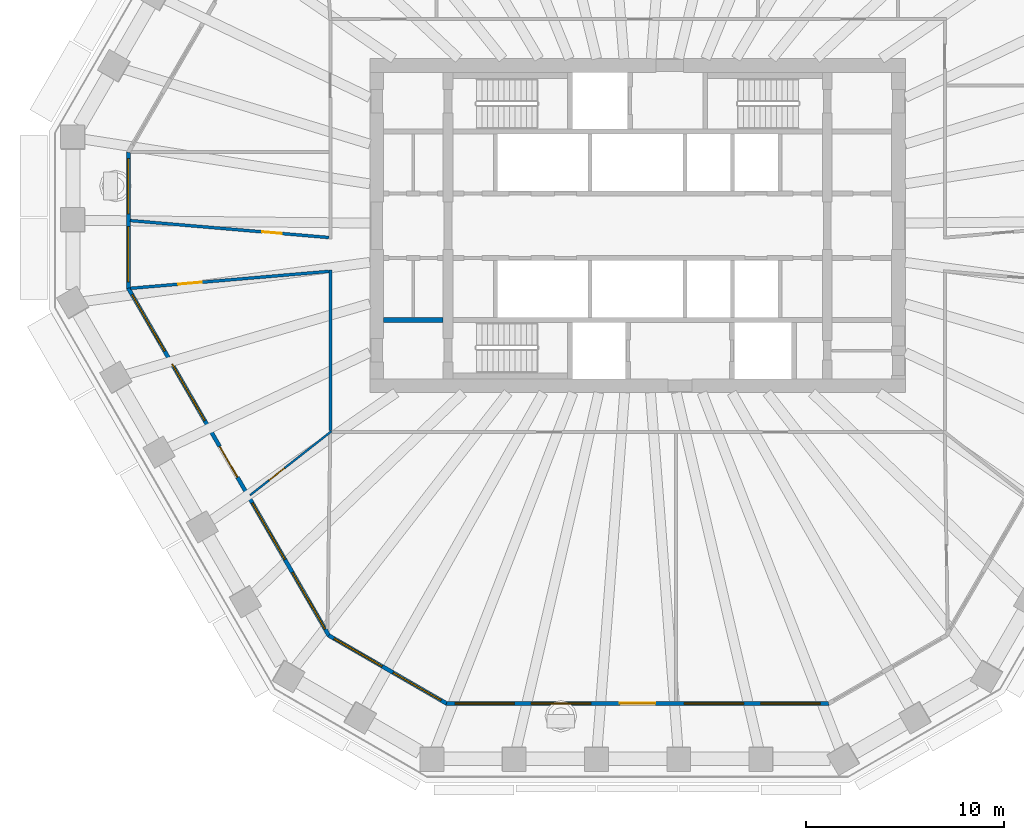
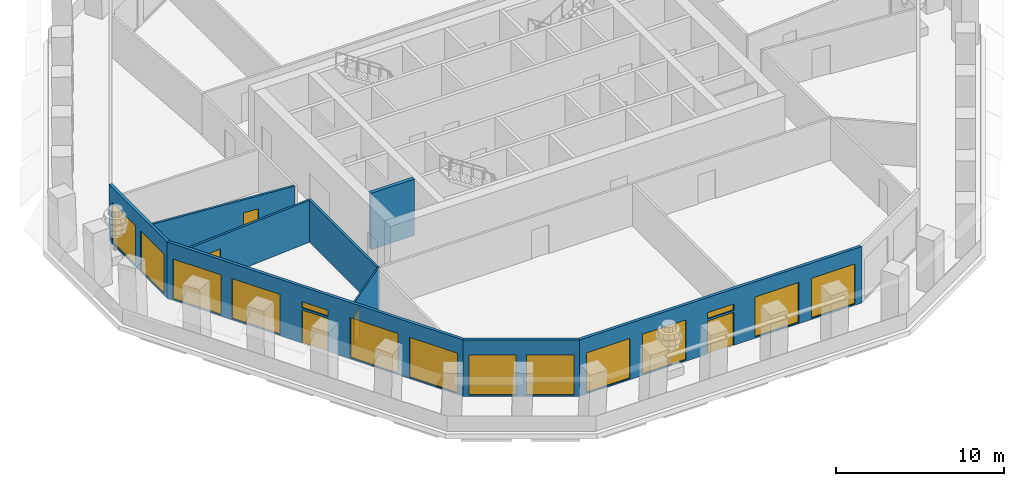
# One storey, part 3 of 12: 14 windows, 9 walls, 5 doors, 19 openings.
"""IFC4 building model written with IfcOpenShell, lengths in metres."""

import ifcopenshell
import ifcopenshell.guid

model = None  # the IFC model being written
_history = None  # IfcOwnerHistory: only IFC2X3 demands one
_inside = {}  # id of a spatial element -> (the spatial element, [elements in it])
_under = {}  # id of a project, library or spatial element -> (it, [spatial elements below it])
_declared = {}  # id of a project -> (the project, [libraries it declares])
_typed = {}  # id of a type object -> (the type object, [elements of that type])
_made_of = {}  # id of a material, layer set ... -> (it, [elements and type objects made of it])


def new_model(schema):
    """Start an empty IFC model of exactly this schema.

    Asked for "IFC4X3", IfcOpenShell would pick the latest addendum, in which some entities
    have other attributes; the version numbers below select the first issue.
    IFC2X3 requires an IfcOwnerHistory on every rooted entity: one is made here for all.
    """
    global model, _history
    if schema == "IFC4X3":
        model = ifcopenshell.file(schema_version=(4, 3, 0, 0))
    else:
        model = ifcopenshell.file(schema=schema)
    _inside.clear()
    _under.clear()
    _declared.clear()
    _typed.clear()
    _made_of.clear()
    _history = None
    if model.schema == "IFC2X3":
        org = make("IfcOrganization", Name="unknown")
        user = make(
            "IfcPersonAndOrganization",
            ThePerson=make("IfcPerson", FamilyName="unknown"),
            TheOrganization=org,
        )
        app = make(
            "IfcApplication",
            ApplicationDeveloper=org,
            Version="unknown",
            ApplicationFullName="unknown",
            ApplicationIdentifier="unknown",
        )
        _history = make(
            "IfcOwnerHistory",
            OwningUser=user,
            OwningApplication=app,
            ChangeAction="ADDED",
            CreationDate=0,
        )
    return model


def make(cls, **values):
    """One entity of the class cls with the attributes given. An attribute that is None is left unset."""
    return model.create_entity(
        cls, **{name: value for name, value in values.items() if value is not None}
    )


def rooted(cls, **values):
    """An entity with a GlobalId (a new one), such as an element, a storey or a relation."""
    return make(cls, GlobalId=ifcopenshell.guid.new(), OwnerHistory=_history, **values)


def si_unit(unit_type, name, prefix=None):
    """IfcSIUnit, for example si_unit("LENGTHUNIT", "METRE", prefix="MILLI")."""
    return make("IfcSIUnit", UnitType=unit_type, Prefix=prefix, Name=name)


def assignment(units):
    """IfcUnitAssignment: the units of a project."""
    return None if units is None else make("IfcUnitAssignment", Units=units)


def point(xyz):
    """IfcCartesianPoint."""
    return None if xyz is None else make("IfcCartesianPoint", Coordinates=xyz)


def direction(xyz):
    """IfcDirection."""
    return None if xyz is None else make("IfcDirection", DirectionRatios=xyz)


def frame(location, z_axis=None, x_axis=None):
    """IfcAxis2Placement3D, a coordinate frame: its origin and axes. An axis left out is left unset."""
    return make(
        "IfcAxis2Placement3D",
        Location=point(location),
        Axis=direction(z_axis),
        RefDirection=direction(x_axis),
    )


def frame_2d(location, x_axis=None):
    """IfcAxis2Placement2D, a coordinate frame in the plane: its origin and x axis."""
    return make(
        "IfcAxis2Placement2D", Location=point(location), RefDirection=direction(x_axis)
    )


def origin():
    """The frame at (0, 0, 0) with its axes left unset."""
    return frame((0.0, 0.0, 0.0))


def place(relative_to, where):
    """IfcLocalPlacement: puts the frame where relative to a parent placement (None: the world)."""
    return make(
        "IfcLocalPlacement", PlacementRelTo=relative_to, RelativePlacement=where
    )


def context(
    kind, dimensions, precision=None, world=None, true_north=None, identifier=None
):
    """IfcGeometricRepresentationContext, for example the 3D "Model" context."""
    return make(
        "IfcGeometricRepresentationContext",
        ContextIdentifier=identifier,
        ContextType=kind,
        CoordinateSpaceDimension=dimensions,
        Precision=precision,
        WorldCoordinateSystem=world,
        TrueNorth=true_north,
    )


def subcontext(parent, identifier, kind, view, scale=None):
    """IfcGeometricRepresentationSubContext, for example "Body" below "Model"."""
    return make(
        "IfcGeometricRepresentationSubContext",
        ContextIdentifier=identifier,
        ContextType=kind,
        ParentContext=parent,
        TargetScale=scale,
        TargetView=view,
    )


def project(units=None, contexts=None):
    """IfcProject with its units and contexts."""
    return rooted(
        "IfcProject",
        Name="project",
        RepresentationContexts=contexts,
        UnitsInContext=assignment(units),
    )


def spatial(cls, under=None, at=None, **own):
    """A site, building, storey or space (cls), placed at a placement, below another one or the project."""
    s = rooted(cls, ObjectPlacement=at, **own)
    if under is not None:
        _under.setdefault(under.id(), (under, []))[1].append(s)
    return s


def polyline(points):
    """IfcPolyline through the points."""
    return make("IfcPolyline", Points=[point(p) for p in points])


def profile(cls, at=None, kind="AREA", **sizes):
    """A parametric profile (cls). Its sizes go by their IFC names, for example OverallWidth=200.0."""
    return make(cls, ProfileType=kind, Position=at, **sizes)


def rectangle(**sizes):
    """IfcRectangleProfileDef."""
    return profile("IfcRectangleProfileDef", **sizes)


def outline(outer, holes=None, kind="AREA"):
    """IfcArbitraryClosedProfileDef: a profile drawn as a closed curve; with holes, ...WithVoids."""
    if holes is None:
        return make("IfcArbitraryClosedProfileDef", ProfileType=kind, OuterCurve=outer)
    return make(
        "IfcArbitraryProfileDefWithVoids",
        ProfileType=kind,
        OuterCurve=outer,
        InnerCurves=holes,
    )


def extrude(swept, where, along, depth):
    """IfcExtrudedAreaSolid: the profile swept, set in the frame where, extruded along a direction by depth."""
    return make(
        "IfcExtrudedAreaSolid",
        SweptArea=swept,
        Position=where,
        ExtrudedDirection=direction(along),
        Depth=depth,
    )


def shape(context_of_items, identifier, shape_type, items):
    """IfcShapeRepresentation: the items that make up one representation, for example the "Body"."""
    return make(
        "IfcShapeRepresentation",
        ContextOfItems=context_of_items,
        RepresentationIdentifier=identifier,
        RepresentationType=shape_type,
        Items=items,
    )


def material(Name=None, Category=None):
    """IfcMaterial."""
    return make("IfcMaterial", Name=Name, Category=Category)


def layer(
    of_material, thickness, ventilated=None, Name=None, Category=None, Priority=None
):
    """IfcMaterialLayer: one layer of a wall or slab, of a material (None: an air gap)."""
    return make(
        "IfcMaterialLayer",
        Material=of_material,
        LayerThickness=thickness,
        IsVentilated=ventilated,
        Name=Name,
        Category=Category,
        Priority=Priority,
    )


def layer_set(layers, Name=None):
    """IfcMaterialLayerSet."""
    return make("IfcMaterialLayerSet", MaterialLayers=layers, LayerSetName=Name)


def made_of(thing, what):
    """Note that an element or type object is made of a material, layer set ...; save() writes the relation."""
    if what is not None:
        _made_of.setdefault(what.id(), (what, []))[1].append(thing)
    return thing


def type_object(cls, material=None, **own):
    """A type object (cls), such as IfcWallType, which elements share."""
    return made_of(rooted(cls, **own), material)


def element(
    cls,
    number,
    at=None,
    inside=None,
    cuts=None,
    type_object=None,
    material=None,
    context=None,
    identifier="Body",
    shape_type=None,
    held_by="IfcProductDefinitionShape",
    body=None,
    shapes=None,
    **own,
):
    """One element of the class cls, such as IfcWall. Its Tag is "e" and its number.

    at: its placement. inside: the storey or other place that contains it. cuts: it is an
    opening in that element (IfcRelVoidsElement). A single representation is given by context,
    identifier, shape_type and body (its items); several are given by shapes. held_by: the class
    of the entity that holds the representations. save() writes the other relations.
    """
    e = rooted(cls, Tag="e%d" % number, ObjectPlacement=at, **own)
    if body is not None:
        shapes = [shape(context, identifier, shape_type, body)]
    if shapes is not None:
        e.Representation = make(held_by, Representations=shapes)
    if inside is not None:
        _inside.setdefault(inside.id(), (inside, []))[1].append(e)
    if cuts is not None:
        rooted(
            "IfcRelVoidsElement", RelatingBuildingElement=cuts, RelatedOpeningElement=e
        )
    if type_object is not None:
        _typed.setdefault(type_object.id(), (type_object, []))[1].append(e)
    return made_of(e, material)


def fill(opening, filler):
    """IfcRelFillsElement: the door or window that sits in an opening."""
    return rooted(
        "IfcRelFillsElement",
        RelatingOpeningElement=opening,
        RelatedBuildingElement=filler,
    )


def aggregate(whole, parts):
    """IfcRelAggregates: a whole, such as a stair, and the parts it consists of."""
    return rooted("IfcRelAggregates", RelatingObject=whole, RelatedObjects=parts)


def save(model, path):
    """Write the relations noted so far, then the file.

    IfcRelAggregates (storeys below a building ...), IfcRelContainedInSpatialStructure (elements
    in a storey), IfcRelDefinesByType, IfcRelAssociatesMaterial and IfcRelDeclares: one each for
    every whole, place, type object, material and project.
    """
    for whole, parts in _under.values():
        aggregate(whole, parts)
    for where, things in _inside.values():
        rooted(
            "IfcRelContainedInSpatialStructure",
            RelatedElements=things,
            RelatingStructure=where,
        )
    for kind, things in _typed.values():
        rooted("IfcRelDefinesByType", RelatedObjects=things, RelatingType=kind)
    for what, things in _made_of.values():
        rooted("IfcRelAssociatesMaterial", RelatedObjects=things, RelatingMaterial=what)
    for by, libraries in _declared.values():
        rooted("IfcRelDeclares", RelatingContext=by, RelatedDefinitions=libraries)
    model.write(path)


model = new_model("IFC4")

# Units and contexts
model_context = context("Model", 3, precision=1e-05, world=origin(), true_north=direction((0.0, 1.0)))
body_context = subcontext(model_context, "Body", "Model", "MODEL_VIEW")
ifc_project = project(units=[si_unit("LENGTHUNIT", "METRE"), si_unit("AREAUNIT", "SQUARE_METRE"), si_unit("VOLUMEUNIT", "CUBIC_METRE"), si_unit("PLANEANGLEUNIT", "RADIAN"), si_unit("MASSUNIT", "GRAM", prefix="KILO")], contexts=[model_context])

# Site, building, storey
site_placement = place(None, origin())
site = spatial("IfcSite", under=ifc_project, at=site_placement, CompositionType="ELEMENT")
building_placement = place(site_placement, origin())
building = spatial("IfcBuilding", under=site, at=building_placement, Name="Frailejon Research Tower", CompositionType="ELEMENT")
storey_placement = place(building_placement, frame((0.0, 0.0, 154.0)))
storey = spatial("IfcBuildingStorey", under=building, at=storey_placement, Name="L33", CompositionType="ELEMENT", Elevation=154.0)

# Wall, opening, door
ifc_material_1 = material(Name="Gypsum board and masonry partition", Category="masonry")
ifc_layer_1 = layer(ifc_material_1, 0.14990234375)
ifc_layer_set_1 = layer_set([ifc_layer_1], Name="Corridor wall EI 60, gypsum on steel studs 150")
wall_type_1 = type_object("IfcWallType", Name="Corridor wall EI 60, gypsum on steel studs 150", PredefinedType="PARTITIONING", material=ifc_layer_set_1)
wall_1_placement = place(storey_placement, frame((-25.672607421875, 0.259521484375, 0.0), z_axis=(0.0, 0.0, 1.0), x_axis=(0.996368569522, -0.085145015526, 0.0)))
wall_1 = element("IfcWall", 1, at=wall_1_placement, inside=storey, type_object=wall_type_1, Name="T:IW:L33:001", PredefinedType="PARTITIONING", context=body_context, shape_type="SweptSolid", body=[
    extrude(rectangle(XDim=10.08447265625, YDim=0.14990234375, at=frame_2d((5.042236328125, 0.0))), origin(), (0.0, 0.0, 1.0), 3.050048828125),
])
opening_1_placement = place(wall_1_placement, frame((6.694580078125, 0.0, 0.0)))
opening_1 = element("IfcOpeningElement", 2, at=opening_1_placement, cuts=wall_1, Name="Opening D1727", PredefinedType="OPENING", context=body_context, shape_type="SweptSolid", body=[
    extrude(rectangle(XDim=1.0, YDim=2.10009765625, at=frame_2d((0.5, 1.050048828125))), frame((0.0, 0.0849609375, 0.0), z_axis=(0.0, -1.0, 0.0), x_axis=(1.0, 0.0, 0.0)), (0.0, 0.0, 1.0), 0.169921875),
])
ifc_material_2 = material(Name="Timber door leaf", Category="wood")
door_type_1 = type_object("IfcDoorType", Name="Door single leaf, timber, steel frame 1000", OperationType="NOTDEFINED", PredefinedType="DOOR", material=ifc_material_2)
door_1_placement = place(opening_1_placement, origin())
door_1 = element("IfcDoor", 3, at=door_1_placement, inside=storey, type_object=door_type_1, Name="D1727", OperationType="SINGLE_SWING_RIGHT", OverallHeight=2.10009765625, OverallWidth=1.0, PredefinedType="DOOR", context=body_context, shape_type="SweptSolid", body=[
    extrude(rectangle(XDim=1.0, YDim=2.10009765625, at=frame_2d((0.5, 1.050048828125))), frame((0.0, 0.02490234375, 0.0), z_axis=(0.0, -1.0, 0.0), x_axis=(1.0, 0.0, 0.0)), (0.0, 0.0, 1.0), 0.050048828125),
])
fill(opening_1, door_1)

wall_2_placement = place(storey_placement, frame((-25.65234375, -3.168701171875, 0.0), z_axis=(0.0, 0.0, 1.0), x_axis=(0.996370436306, 0.085123167555, 0.0)))
wall_2 = element("IfcWall", 4, at=wall_2_placement, inside=storey, type_object=wall_type_1, Name="T:IW:L33:002", PredefinedType="PARTITIONING", context=body_context, shape_type="SweptSolid", body=[
    extrude(rectangle(XDim=10.064208984375, YDim=0.14990234375, at=frame_2d((5.0322265625, 0.0))), origin(), (0.0, 0.0, 1.0), 3.050048828125),
])
opening_2_placement = place(wall_2_placement, frame((2.409912109375, 0.0, 0.0)))
opening_2 = element("IfcOpeningElement", 5, at=opening_2_placement, cuts=wall_2, Name="Opening D1728", PredefinedType="OPENING", context=body_context, shape_type="SweptSolid", body=[
    extrude(rectangle(XDim=1.199951171875, YDim=2.10009765625, at=frame_2d((0.60009765625, 1.050048828125))), frame((0.0, 0.0849609375, 0.0), z_axis=(0.0, -1.0, 0.0), x_axis=(1.0, 0.0, 0.0)), (0.0, 0.0, 1.0), 0.169921875),
])
ifc_material_3 = material(Name="Timber door leaf", Category="wood")
door_type_2 = type_object("IfcDoorType", Name="Door single leaf, timber, steel frame 1200", OperationType="NOTDEFINED", PredefinedType="DOOR", material=ifc_material_3)
door_2_placement = place(opening_2_placement, origin())
door_2 = element("IfcDoor", 6, at=door_2_placement, inside=storey, type_object=door_type_2, Name="D1728", OperationType="DOUBLE_DOOR_SINGLE_SWING", OverallHeight=2.10009765625, OverallWidth=1.199951171875, PredefinedType="DOOR", context=body_context, shape_type="SweptSolid", body=[
    extrude(rectangle(XDim=1.199951171875, YDim=2.10009765625, at=frame_2d((0.60009765625, 1.050048828125))), frame((0.0, 0.02490234375, 0.0), z_axis=(0.0, -1.0, 0.0), x_axis=(1.0, 0.0, 0.0)), (0.0, 0.0, 1.0), 0.050048828125),
])
fill(opening_2, door_2)

# Wall
wall_3_placement = place(storey_placement, frame((-15.550048828125, -10.375, 0.0), z_axis=(0.0, 0.0, 1.0), x_axis=(0.0, 1.0, 0.0)))
element("IfcWall", 7, at=wall_3_placement, inside=storey, type_object=wall_type_1, Name="T:IW:L33:006", PredefinedType="PARTITIONING", context=body_context, shape_type="SweptSolid", body=[
    extrude(rectangle(XDim=8.14453125, YDim=0.14990234375, at=frame_2d((4.072265625, 0.0))), origin(), (0.0, 0.0, 1.0), 3.050048828125),
])

# Wall, opening, door
ifc_material_4 = material(Name="Gypsum board and masonry partition", Category="masonry")
ifc_layer_2 = layer(ifc_material_4, 0.10009765625)
ifc_layer_set_2 = layer_set([ifc_layer_2], Name="Partition, gypsum on steel studs 100")
wall_type_2 = type_object("IfcWallType", Name="Partition, gypsum on steel studs 100", PredefinedType="PARTITIONING", material=ifc_layer_set_2)
wall_4_placement = place(storey_placement, frame((-19.608154296875, -13.6376953125, 0.0), z_axis=(0.0, 0.0, 1.0), x_axis=(0.78641541947, 0.617697974757, 0.0)))
wall_4 = element("IfcWall", 8, at=wall_4_placement, inside=storey, type_object=wall_type_2, Name="T:IW:L33:021", PredefinedType="PARTITIONING", context=body_context, shape_type="SweptSolid", body=[
    extrude(rectangle(XDim=5.2353515625, YDim=0.10009765625, at=frame_2d((2.61767578125, 0.0))), origin(), (0.0, 0.0, 1.0), 3.050048828125),
])
opening_3_placement = place(wall_4_placement, frame((1.215087890625, 0.0, 0.0)))
opening_3 = element("IfcOpeningElement", 9, at=opening_3_placement, cuts=wall_4, Name="Opening D1729", PredefinedType="OPENING", context=body_context, shape_type="SweptSolid", body=[
    extrude(rectangle(XDim=1.0, YDim=2.10009765625, at=frame_2d((0.5, 1.050048828125))), frame((0.0, 0.06005859375, 0.0), z_axis=(0.0, -1.0, 0.0), x_axis=(1.0, 0.0, 0.0)), (0.0, 0.0, 1.0), 0.1201171875),
])
door_3_placement = place(opening_3_placement, origin())
door_3 = element("IfcDoor", 10, at=door_3_placement, inside=storey, type_object=door_type_1, Name="D1729", OperationType="SINGLE_SWING_RIGHT", OverallHeight=2.10009765625, OverallWidth=1.0, PredefinedType="DOOR", context=body_context, shape_type="SweptSolid", body=[
    extrude(rectangle(XDim=1.0, YDim=2.10009765625, at=frame_2d((0.5, 1.050048828125))), frame((0.0, 0.02490234375, 0.0), z_axis=(0.0, -1.0, 0.0), x_axis=(1.0, 0.0, 0.0)), (0.0, 0.0, 1.0), 0.050048828125),
])
fill(opening_3, door_3)

# Wall
ifc_material_5 = material(Name="Concrete C60/75", Category="concrete")
ifc_layer_3 = layer(ifc_material_5, 0.25)
ifc_layer_set_3 = layer_set([ifc_layer_3], Name="Shaft wall 250 C60/75")
wall_type_3 = type_object("IfcWallType", Name="Shaft wall 250 C60/75", PredefinedType="SOLIDWALL", material=ifc_layer_set_3)
wall_5_placement = place(storey_placement, frame((-12.85009765625, -4.77490234375, 0.0), z_axis=(0.0, 0.0, 1.0), x_axis=(1.0, 0.0, 0.0)))
element("IfcWall", 11, at=wall_5_placement, inside=storey, type_object=wall_type_3, Name="Shaft wall", PredefinedType="SOLIDWALL", context=body_context, shape_type="SweptSolid", body=[
    extrude(rectangle(XDim=3.0, YDim=0.25, at=frame_2d((1.5, 0.0))), origin(), (0.0, 0.0, 1.0), 4.10009765625),
])

# Wall, openings, windows
ifc_material_6 = material(Name="Concrete C40/50 precast window wall panel", Category="concrete")
ifc_layer_4 = layer(ifc_material_6, 0.199951171875)
ifc_layer_set_4 = layer_set([ifc_layer_4], Name="Window wall 200")
wall_type_4 = type_object("IfcWallType", Name="Window wall 200", PredefinedType="SOLIDWALL", material=ifc_layer_set_4)
wall_6_placement = place(storey_placement, frame((-25.7724609375, 3.7138671875, 0.0), z_axis=(0.0, 0.0, 1.0), x_axis=(0.0, -1.0, 0.0)))
wall_6 = element("IfcWall", 12, at=wall_6_placement, inside=storey, type_object=wall_type_4, Name="Exterior wall L33", PredefinedType="SOLIDWALL", context=body_context, shape_type="SweptSolid", body=[
    extrude(outline(polyline([(-0.02685546875, -0.10009765625), (1.1279296875, -0.10009765625), (2.28271484375, -0.10009765625), (3.4375, -0.10009765625), (4.592041015625, -0.10009765625), (5.746826171875, -0.10009765625), (6.901611328125, -0.10009765625), (6.847900390625, 0.10009765625), (5.7109375, 0.10009765625), (4.57421875, 0.10009765625), (3.4375, 0.10009765625), (2.300537109375, 0.10009765625), (1.16357421875, 0.10009765625), (0.02685546875, 0.10009765625), (-0.02685546875, -0.10009765625)])), origin(), (0.0, 0.0, 1.0), 4.10009765625),
])
opening_4_placement = place(wall_6_placement, frame((0.318603515625, 0.0, 0.10009765625)))
opening_4 = element("IfcOpeningElement", 13, at=opening_4_placement, cuts=wall_6, Name="Opening W3", PredefinedType="OPENING", context=body_context, shape_type="SweptSolid", body=[
    extrude(rectangle(XDim=2.800048828125, YDim=2.89990234375, at=frame_2d((1.39990234375, 1.449951171875))), frame((0.0, 0.10986328125, 0.0), z_axis=(0.0, -1.0, 0.0), x_axis=(1.0, 0.0, 0.0)), (0.0, 0.0, 1.0), 0.219970703125),
])
opening_5_placement = place(wall_6_placement, frame((3.756103515625, 0.0, 0.10009765625)))
opening_5 = element("IfcOpeningElement", 14, at=opening_5_placement, cuts=wall_6, Name="Opening W3", PredefinedType="OPENING", context=body_context, shape_type="SweptSolid", body=[
    extrude(rectangle(XDim=2.800048828125, YDim=2.89990234375, at=frame_2d((1.39990234375, 1.449951171875))), frame((0.0, 0.10986328125, 0.0), z_axis=(0.0, -1.0, 0.0), x_axis=(1.0, 0.0, 0.0)), (0.0, 0.0, 1.0), 0.219970703125),
])
ifc_material_7 = material(Name="Aluminium framed double glazing", Category="aluminium")
window_type_1 = type_object("IfcWindowType", Name="Window 2800x2900", PartitioningType="SINGLE_PANEL", PredefinedType="WINDOW", material=ifc_material_7)
window_1_placement = place(opening_4_placement, origin())
window_1 = element("IfcWindow", 15, at=window_1_placement, inside=storey, type_object=window_type_1, Name="Window L33", OverallHeight=2.89990234375, OverallWidth=2.800048828125, PartitioningType="SINGLE_PANEL", PredefinedType="WINDOW", context=body_context, shape_type="SweptSolid", body=[
    extrude(rectangle(XDim=2.800048828125, YDim=2.89990234375, at=frame_2d((1.39990234375, 1.449951171875))), frame((0.0, 0.030029296875, 0.0), z_axis=(0.0, -1.0, 0.0), x_axis=(1.0, 0.0, 0.0)), (0.0, 0.0, 1.0), 0.06005859375),
])
fill(opening_4, window_1)
window_2_placement = place(opening_5_placement, origin())
window_2 = element("IfcWindow", 16, at=window_2_placement, inside=storey, type_object=window_type_1, Name="Window L33", OverallHeight=2.89990234375, OverallWidth=2.800048828125, PartitioningType="SINGLE_PANEL", PredefinedType="WINDOW", context=body_context, shape_type="SweptSolid", body=[
    extrude(rectangle(XDim=2.800048828125, YDim=2.89990234375, at=frame_2d((1.39990234375, 1.449951171875))), frame((0.0, 0.030029296875, 0.0), z_axis=(0.0, -1.0, 0.0), x_axis=(1.0, 0.0, 0.0)), (0.0, 0.0, 1.0), 0.06005859375),
])
fill(opening_5, window_2)

# Wall, openings, door, windows
wall_7_placement = place(storey_placement, frame((-25.7724609375, -3.160888671875, 0.0), z_axis=(0.0, 0.0, 1.0), x_axis=(0.500001833672, -0.866024345111, 0.0)))
wall_7 = element("IfcWall", 17, at=wall_7_placement, inside=storey, type_object=wall_type_4, Name="Exterior wall L33", PredefinedType="SOLIDWALL", context=body_context, shape_type="SweptSolid", body=[
    extrude(outline(polyline([(-0.02685546875, -0.10009765625), (0.99072265625, -0.10009765625), (2.00830078125, -0.10009765625), (3.02587890625, -0.10009765625), (4.04345703125, -0.10009765625), (5.06103515625, -0.10009765625), (6.07861328125, -0.10009765625), (7.09619140625, -0.10009765625), (8.11376953125, -0.10009765625), (9.13134765625, -0.10009765625), (10.14892578125, -0.10009765625), (11.16650390625, -0.10009765625), (12.18408203125, -0.10009765625), (13.20166015625, -0.10009765625), (14.21923828125, -0.10009765625), (15.23681640625, -0.10009765625), (16.25439453125, -0.10009765625), (17.27197265625, -0.10009765625), (18.28955078125, -0.10009765625), (19.30712890625, -0.10009765625), (20.32470703125, -0.10009765625), (20.27099609375, 0.10009765625), (19.2587890625, 0.10009765625), (18.24658203125, 0.10009765625), (17.234375, 0.10009765625), (16.22216796875, 0.10009765625), (15.2099609375, 0.10009765625), (14.19775390625, 0.10009765625), (13.185546875, 0.10009765625), (12.17333984375, 0.10009765625), (11.1611328125, 0.10009765625), (10.14892578125, 0.10009765625), (9.13671875, 0.10009765625), (8.12451171875, 0.10009765625), (7.1123046875, 0.10009765625), (6.10009765625, 0.10009765625), (5.087890625, 0.10009765625), (4.07568359375, 0.10009765625), (3.0634765625, 0.10009765625), (2.05126953125, 0.10009765625), (1.0390625, 0.10009765625), (0.02685546875, 0.10009765625), (-0.02685546875, -0.10009765625)])), origin(), (0.0, 0.0, 1.0), 4.10009765625),
])
opening_6_placement = place(wall_7_placement, frame((0.3798828125, 0.0, 0.10009765625)))
opening_6 = element("IfcOpeningElement", 18, at=opening_6_placement, cuts=wall_7, Name="Opening W5", PredefinedType="OPENING", context=body_context, shape_type="SweptSolid", body=[
    extrude(rectangle(XDim=3.300048828125, YDim=2.89990234375, at=frame_2d((1.64990234375, 1.449951171875))), frame((0.0, 0.10986328125, 0.0), z_axis=(0.0, -1.0, 0.0), x_axis=(1.0, 0.0, 0.0)), (0.0, 0.0, 1.0), 0.219970703125),
])
opening_7_placement = place(wall_7_placement, frame((4.439453125, 0.0, 0.10009765625)))
opening_7 = element("IfcOpeningElement", 19, at=opening_7_placement, cuts=wall_7, Name="Opening W5", PredefinedType="OPENING", context=body_context, shape_type="SweptSolid", body=[
    extrude(rectangle(XDim=3.300048828125, YDim=2.89990234375, at=frame_2d((1.64990234375, 1.449951171875))), frame((0.0, 0.10986328125, 0.0), z_axis=(0.0, -1.0, 0.0), x_axis=(1.0, 0.0, 0.0)), (0.0, 0.0, 1.0), 0.219970703125),
])
opening_8_placement = place(wall_7_placement, frame((9.248779296875, 0.0, 0.0)))
opening_8 = element("IfcOpeningElement", 20, at=opening_8_placement, cuts=wall_7, Name="Opening LG33-4", PredefinedType="OPENING", context=body_context, shape_type="SweptSolid", body=[
    extrude(rectangle(XDim=1.800048828125, YDim=2.39990234375, at=frame_2d((0.89990234375, 1.199951171875))), frame((0.0, 0.10986328125, 0.0), z_axis=(0.0, -1.0, 0.0), x_axis=(1.0, 0.0, 0.0)), (0.0, 0.0, 1.0), 0.219970703125),
])
opening_9_placement = place(wall_7_placement, frame((9.248779296875, 0.0, 2.550048828125)))
opening_9 = element("IfcOpeningElement", 21, at=opening_9_placement, cuts=wall_7, Name="Opening W1", PredefinedType="OPENING", context=body_context, shape_type="SweptSolid", body=[
    extrude(rectangle(XDim=1.800048828125, YDim=0.449951171875, at=frame_2d((0.89990234375, 0.22509765625))), frame((0.0, 0.10986328125, 0.0), z_axis=(0.0, -1.0, 0.0), x_axis=(1.0, 0.0, 0.0)), (0.0, 0.0, 1.0), 0.219970703125),
])
opening_10_placement = place(wall_7_placement, frame((12.55859375, 0.0, 0.10009765625)))
opening_10 = element("IfcOpeningElement", 22, at=opening_10_placement, cuts=wall_7, Name="Opening W5", PredefinedType="OPENING", context=body_context, shape_type="SweptSolid", body=[
    extrude(rectangle(XDim=3.300048828125, YDim=2.89990234375, at=frame_2d((1.64990234375, 1.449951171875))), frame((0.0, 0.10986328125, 0.0), z_axis=(0.0, -1.0, 0.0), x_axis=(1.0, 0.0, 0.0)), (0.0, 0.0, 1.0), 0.219970703125),
])
opening_11_placement = place(wall_7_placement, frame((16.6181640625, 0.0, 0.10009765625)))
opening_11 = element("IfcOpeningElement", 23, at=opening_11_placement, cuts=wall_7, Name="Opening W5", PredefinedType="OPENING", context=body_context, shape_type="SweptSolid", body=[
    extrude(rectangle(XDim=3.300048828125, YDim=2.89990234375, at=frame_2d((1.64990234375, 1.449951171875))), frame((0.0, 0.10986328125, 0.0), z_axis=(0.0, -1.0, 0.0), x_axis=(1.0, 0.0, 0.0)), (0.0, 0.0, 1.0), 0.219970703125),
])
ifc_material_8 = material(Name="Aluminium framed glazed door leaf", Category="aluminium")
door_type_3 = type_object("IfcDoorType", Name="Loggia door 1800x2400", OperationType="DOUBLE_DOOR_SINGLE_SWING", PredefinedType="DOOR", material=ifc_material_8)
door_4_placement = place(opening_8_placement, origin())
door_4 = element("IfcDoor", 24, at=door_4_placement, inside=storey, type_object=door_type_3, Name="Door LG33-4", OperationType="DOUBLE_DOOR_SINGLE_SWING", OverallHeight=2.39990234375, OverallWidth=1.800048828125, PredefinedType="DOOR", context=body_context, shape_type="SweptSolid", body=[
    extrude(rectangle(XDim=1.800048828125, YDim=2.39990234375, at=frame_2d((0.89990234375, 1.199951171875))), frame((0.0, 0.02490234375, 0.0), z_axis=(0.0, -1.0, 0.0), x_axis=(1.0, 0.0, 0.0)), (0.0, 0.0, 1.0), 0.050048828125),
])
fill(opening_8, door_4)
ifc_material_9 = material(Name="Aluminium framed double glazing", Category="aluminium")
window_type_2 = type_object("IfcWindowType", Name="Window 1800x450", PartitioningType="SINGLE_PANEL", PredefinedType="WINDOW", material=ifc_material_9)
window_3_placement = place(opening_9_placement, origin())
window_3 = element("IfcWindow", 25, at=window_3_placement, inside=storey, type_object=window_type_2, Name="Window L33", OverallHeight=0.449951171875, OverallWidth=1.800048828125, PartitioningType="SINGLE_PANEL", PredefinedType="WINDOW", context=body_context, shape_type="SweptSolid", body=[
    extrude(rectangle(XDim=1.800048828125, YDim=0.449951171875, at=frame_2d((0.89990234375, 0.22509765625))), frame((0.0, 0.030029296875, 0.0), z_axis=(0.0, -1.0, 0.0), x_axis=(1.0, 0.0, 0.0)), (0.0, 0.0, 1.0), 0.06005859375),
])
fill(opening_9, window_3)
ifc_material_10 = material(Name="Aluminium framed double glazing", Category="aluminium")
window_type_3 = type_object("IfcWindowType", Name="Window 3300x2900", PartitioningType="SINGLE_PANEL", PredefinedType="WINDOW", material=ifc_material_10)
window_4_placement = place(opening_6_placement, origin())
window_4 = element("IfcWindow", 26, at=window_4_placement, inside=storey, type_object=window_type_3, Name="Window L33", OverallHeight=2.89990234375, OverallWidth=3.300048828125, PartitioningType="SINGLE_PANEL", PredefinedType="WINDOW", context=body_context, shape_type="SweptSolid", body=[
    extrude(rectangle(XDim=3.300048828125, YDim=2.89990234375, at=frame_2d((1.64990234375, 1.449951171875))), frame((0.0, 0.030029296875, 0.0), z_axis=(0.0, -1.0, 0.0), x_axis=(1.0, 0.0, 0.0)), (0.0, 0.0, 1.0), 0.06005859375),
])
fill(opening_6, window_4)
window_5_placement = place(opening_7_placement, origin())
window_5 = element("IfcWindow", 27, at=window_5_placement, inside=storey, type_object=window_type_3, Name="Window L33", OverallHeight=2.89990234375, OverallWidth=3.300048828125, PartitioningType="SINGLE_PANEL", PredefinedType="WINDOW", context=body_context, shape_type="SweptSolid", body=[
    extrude(rectangle(XDim=3.300048828125, YDim=2.89990234375, at=frame_2d((1.64990234375, 1.449951171875))), frame((0.0, 0.030029296875, 0.0), z_axis=(0.0, -1.0, 0.0), x_axis=(1.0, 0.0, 0.0)), (0.0, 0.0, 1.0), 0.06005859375),
])
fill(opening_7, window_5)
window_6_placement = place(opening_10_placement, origin())
window_6 = element("IfcWindow", 28, at=window_6_placement, inside=storey, type_object=window_type_3, Name="Window L33", OverallHeight=2.89990234375, OverallWidth=3.300048828125, PartitioningType="SINGLE_PANEL", PredefinedType="WINDOW", context=body_context, shape_type="SweptSolid", body=[
    extrude(rectangle(XDim=3.300048828125, YDim=2.89990234375, at=frame_2d((1.64990234375, 1.449951171875))), frame((0.0, 0.030029296875, 0.0), z_axis=(0.0, -1.0, 0.0), x_axis=(1.0, 0.0, 0.0)), (0.0, 0.0, 1.0), 0.06005859375),
])
fill(opening_10, window_6)
window_7_placement = place(opening_11_placement, origin())
window_7 = element("IfcWindow", 29, at=window_7_placement, inside=storey, type_object=window_type_3, Name="Window L33", OverallHeight=2.89990234375, OverallWidth=3.300048828125, PartitioningType="SINGLE_PANEL", PredefinedType="WINDOW", context=body_context, shape_type="SweptSolid", body=[
    extrude(rectangle(XDim=3.300048828125, YDim=2.89990234375, at=frame_2d((1.64990234375, 1.449951171875))), frame((0.0, 0.030029296875, 0.0), z_axis=(0.0, -1.0, 0.0), x_axis=(1.0, 0.0, 0.0)), (0.0, 0.0, 1.0), 0.06005859375),
])
fill(opening_11, window_7)

# Wall, openings, windows
wall_8_placement = place(storey_placement, frame((-15.62353515625, -20.7392578125, 0.0), z_axis=(0.0, 0.0, 1.0), x_axis=(0.866029458321, -0.49999297727, 0.0)))
wall_8 = element("IfcWall", 30, at=wall_8_placement, inside=storey, type_object=wall_type_4, Name="Exterior wall L33", PredefinedType="SOLIDWALL", context=body_context, shape_type="SweptSolid", body=[
    extrude(outline(polyline([(-0.02685546875, -0.10009765625), (1.1279296875, -0.10009765625), (2.282470703125, -0.10009765625), (3.437255859375, -0.10009765625), (4.592041015625, -0.10009765625), (5.74658203125, -0.10009765625), (6.9013671875, -0.10009765625), (6.84765625, 0.10009765625), (5.7109375, 0.10009765625), (4.573974609375, 0.10009765625), (3.437255859375, 0.10009765625), (2.300537109375, 0.10009765625), (1.16357421875, 0.10009765625), (0.02685546875, 0.10009765625), (-0.02685546875, -0.10009765625)])), origin(), (0.0, 0.0, 1.0), 4.10009765625),
])
opening_12_placement = place(wall_8_placement, frame((0.318603515625, 0.0, 0.10009765625)))
opening_12 = element("IfcOpeningElement", 31, at=opening_12_placement, cuts=wall_8, Name="Opening W3", PredefinedType="OPENING", context=body_context, shape_type="SweptSolid", body=[
    extrude(rectangle(XDim=2.800048828125, YDim=2.89990234375, at=frame_2d((1.39990234375, 1.449951171875))), frame((0.0, 0.10986328125, 0.0), z_axis=(0.0, -1.0, 0.0), x_axis=(1.0, 0.0, 0.0)), (0.0, 0.0, 1.0), 0.219970703125),
])
opening_13_placement = place(wall_8_placement, frame((3.756103515625, 0.0, 0.10009765625)))
opening_13 = element("IfcOpeningElement", 32, at=opening_13_placement, cuts=wall_8, Name="Opening W3", PredefinedType="OPENING", context=body_context, shape_type="SweptSolid", body=[
    extrude(rectangle(XDim=2.800048828125, YDim=2.89990234375, at=frame_2d((1.39990234375, 1.449951171875))), frame((0.0, 0.10986328125, 0.0), z_axis=(0.0, -1.0, 0.0), x_axis=(1.0, 0.0, 0.0)), (0.0, 0.0, 1.0), 0.219970703125),
])
window_8_placement = place(opening_12_placement, origin())
window_8 = element("IfcWindow", 33, at=window_8_placement, inside=storey, type_object=window_type_1, Name="Window L33", OverallHeight=2.89990234375, OverallWidth=2.800048828125, PartitioningType="SINGLE_PANEL", PredefinedType="WINDOW", context=body_context, shape_type="SweptSolid", body=[
    extrude(rectangle(XDim=2.800048828125, YDim=2.89990234375, at=frame_2d((1.39990234375, 1.449951171875))), frame((0.0, 0.030029296875, 0.0), z_axis=(0.0, -1.0, 0.0), x_axis=(1.0, 0.0, 0.0)), (0.0, 0.0, 1.0), 0.06005859375),
])
fill(opening_12, window_8)
window_9_placement = place(opening_13_placement, origin())
window_9 = element("IfcWindow", 34, at=window_9_placement, inside=storey, type_object=window_type_1, Name="Window L33", OverallHeight=2.89990234375, OverallWidth=2.800048828125, PartitioningType="SINGLE_PANEL", PredefinedType="WINDOW", context=body_context, shape_type="SweptSolid", body=[
    extrude(rectangle(XDim=2.800048828125, YDim=2.89990234375, at=frame_2d((1.39990234375, 1.449951171875))), frame((0.0, 0.030029296875, 0.0), z_axis=(0.0, -1.0, 0.0), x_axis=(1.0, 0.0, 0.0)), (0.0, 0.0, 1.0), 0.06005859375),
])
fill(opening_13, window_9)

# Wall, openings, door, windows
wall_9_placement = place(storey_placement, frame((-9.669921875, -24.176513671875, 0.0), z_axis=(0.0, 0.0, 1.0), x_axis=(1.0, 0.0, 0.0)))
wall_9 = element("IfcWall", 35, at=wall_9_placement, inside=storey, type_object=wall_type_4, Name="Exterior wall L33", PredefinedType="SOLIDWALL", context=body_context, shape_type="SweptSolid", body=[
    extrude(outline(polyline([(-0.02685546875, -0.10009765625), (0.993896484375, -0.10009765625), (2.0146484375, -0.10009765625), (3.035400390625, -0.10009765625), (4.055908203125, -0.10009765625), (5.07666015625, -0.10009765625), (6.097412109375, -0.10009765625), (7.1181640625, -0.10009765625), (8.138916015625, -0.10009765625), (9.15966796875, -0.10009765625), (10.18017578125, -0.10009765625), (11.200927734375, -0.10009765625), (12.2216796875, -0.10009765625), (13.242431640625, -0.10009765625), (14.26318359375, -0.10009765625), (15.283935546875, -0.10009765625), (16.304443359375, -0.10009765625), (17.3251953125, -0.10009765625), (18.345947265625, -0.10009765625), (19.36669921875, -0.10009765625), (19.31298828125, 0.10009765625), (18.2978515625, 0.10009765625), (17.282958984375, 0.10009765625), (16.267822265625, 0.10009765625), (15.252685546875, 0.10009765625), (14.23779296875, 0.10009765625), (13.22265625, 0.10009765625), (12.20751953125, 0.10009765625), (11.192626953125, 0.10009765625), (10.177490234375, 0.10009765625), (9.162353515625, 0.10009765625), (8.147216796875, 0.10009765625), (7.13232421875, 0.10009765625), (6.1171875, 0.10009765625), (5.10205078125, 0.10009765625), (4.087158203125, 0.10009765625), (3.072021484375, 0.10009765625), (2.056884765625, 0.10009765625), (1.0419921875, 0.10009765625), (0.02685546875, 0.10009765625), (-0.02685546875, -0.10009765625)])), origin(), (0.0, 0.0, 1.0), 4.10009765625),
])
opening_14_placement = place(wall_9_placement, frame((0.43408203125, 0.0, 0.10009765625)))
opening_14 = element("IfcOpeningElement", 36, at=opening_14_placement, cuts=wall_9, Name="Opening W4", PredefinedType="OPENING", context=body_context, shape_type="SweptSolid", body=[
    extrude(rectangle(XDim=3.0, YDim=2.89990234375, at=frame_2d((1.5, 1.449951171875))), frame((0.0, 0.10986328125, 0.0), z_axis=(0.0, -1.0, 0.0), x_axis=(1.0, 0.0, 0.0)), (0.0, 0.0, 1.0), 0.219970703125),
])
opening_15_placement = place(wall_9_placement, frame((4.302001953125, 0.0, 0.10009765625)))
opening_15 = element("IfcOpeningElement", 37, at=opening_15_placement, cuts=wall_9, Name="Opening W4", PredefinedType="OPENING", context=body_context, shape_type="SweptSolid", body=[
    extrude(rectangle(XDim=3.0, YDim=2.89990234375, at=frame_2d((1.5, 1.449951171875))), frame((0.0, 0.10986328125, 0.0), z_axis=(0.0, -1.0, 0.0), x_axis=(1.0, 0.0, 0.0)), (0.0, 0.0, 1.0), 0.219970703125),
])
opening_16_placement = place(wall_9_placement, frame((8.77001953125, 0.0, 0.0)))
opening_16 = element("IfcOpeningElement", 38, at=opening_16_placement, cuts=wall_9, Name="Opening LG33-5", PredefinedType="OPENING", context=body_context, shape_type="SweptSolid", body=[
    extrude(rectangle(XDim=1.800048828125, YDim=2.39990234375, at=frame_2d((0.89990234375, 1.199951171875))), frame((0.0, 0.10986328125, 0.0), z_axis=(0.0, -1.0, 0.0), x_axis=(1.0, 0.0, 0.0)), (0.0, 0.0, 1.0), 0.219970703125),
])
opening_17_placement = place(wall_9_placement, frame((8.77001953125, 0.0, 2.550048828125)))
opening_17 = element("IfcOpeningElement", 39, at=opening_17_placement, cuts=wall_9, Name="Opening W1", PredefinedType="OPENING", context=body_context, shape_type="SweptSolid", body=[
    extrude(rectangle(XDim=1.800048828125, YDim=0.449951171875, at=frame_2d((0.89990234375, 0.22509765625))), frame((0.0, 0.10986328125, 0.0), z_axis=(0.0, -1.0, 0.0), x_axis=(1.0, 0.0, 0.0)), (0.0, 0.0, 1.0), 0.219970703125),
])
opening_18_placement = place(wall_9_placement, frame((12.037841796875, 0.0, 0.10009765625)))
opening_18 = element("IfcOpeningElement", 40, at=opening_18_placement, cuts=wall_9, Name="Opening W4", PredefinedType="OPENING", context=body_context, shape_type="SweptSolid", body=[
    extrude(rectangle(XDim=3.0, YDim=2.89990234375, at=frame_2d((1.5, 1.449951171875))), frame((0.0, 0.10986328125, 0.0), z_axis=(0.0, -1.0, 0.0), x_axis=(1.0, 0.0, 0.0)), (0.0, 0.0, 1.0), 0.219970703125),
])
opening_19_placement = place(wall_9_placement, frame((15.906005859375, 0.0, 0.10009765625)))
opening_19 = element("IfcOpeningElement", 41, at=opening_19_placement, cuts=wall_9, Name="Opening W4", PredefinedType="OPENING", context=body_context, shape_type="SweptSolid", body=[
    extrude(rectangle(XDim=3.0, YDim=2.89990234375, at=frame_2d((1.5, 1.449951171875))), frame((0.0, 0.10986328125, 0.0), z_axis=(0.0, -1.0, 0.0), x_axis=(1.0, 0.0, 0.0)), (0.0, 0.0, 1.0), 0.219970703125),
])
door_5_placement = place(opening_16_placement, origin())
door_5 = element("IfcDoor", 42, at=door_5_placement, inside=storey, type_object=door_type_3, Name="Door LG33-5", OperationType="DOUBLE_DOOR_SINGLE_SWING", OverallHeight=2.39990234375, OverallWidth=1.800048828125, PredefinedType="DOOR", context=body_context, shape_type="SweptSolid", body=[
    extrude(rectangle(XDim=1.800048828125, YDim=2.39990234375, at=frame_2d((0.89990234375, 1.199951171875))), frame((0.0, 0.02490234375, 0.0), z_axis=(0.0, -1.0, 0.0), x_axis=(1.0, 0.0, 0.0)), (0.0, 0.0, 1.0), 0.050048828125),
])
fill(opening_16, door_5)
window_10_placement = place(opening_17_placement, origin())
window_10 = element("IfcWindow", 43, at=window_10_placement, inside=storey, type_object=window_type_2, Name="Window L33", OverallHeight=0.449951171875, OverallWidth=1.800048828125, PartitioningType="SINGLE_PANEL", PredefinedType="WINDOW", context=body_context, shape_type="SweptSolid", body=[
    extrude(rectangle(XDim=1.800048828125, YDim=0.449951171875, at=frame_2d((0.89990234375, 0.22509765625))), frame((0.0, 0.030029296875, 0.0), z_axis=(0.0, -1.0, 0.0), x_axis=(1.0, 0.0, 0.0)), (0.0, 0.0, 1.0), 0.06005859375),
])
fill(opening_17, window_10)
ifc_material_11 = material(Name="Aluminium framed double glazing", Category="aluminium")
window_type_4 = type_object("IfcWindowType", Name="Window 3000x2900", PartitioningType="SINGLE_PANEL", PredefinedType="WINDOW", material=ifc_material_11)
window_11_placement = place(opening_14_placement, origin())
window_11 = element("IfcWindow", 44, at=window_11_placement, inside=storey, type_object=window_type_4, Name="Window L33", OverallHeight=2.89990234375, OverallWidth=3.0, PartitioningType="SINGLE_PANEL", PredefinedType="WINDOW", context=body_context, shape_type="SweptSolid", body=[
    extrude(rectangle(XDim=3.0, YDim=2.89990234375, at=frame_2d((1.5, 1.449951171875))), frame((0.0, 0.030029296875, 0.0), z_axis=(0.0, -1.0, 0.0), x_axis=(1.0, 0.0, 0.0)), (0.0, 0.0, 1.0), 0.06005859375),
])
fill(opening_14, window_11)
window_12_placement = place(opening_15_placement, origin())
window_12 = element("IfcWindow", 45, at=window_12_placement, inside=storey, type_object=window_type_4, Name="Window L33", OverallHeight=2.89990234375, OverallWidth=3.0, PartitioningType="SINGLE_PANEL", PredefinedType="WINDOW", context=body_context, shape_type="SweptSolid", body=[
    extrude(rectangle(XDim=3.0, YDim=2.89990234375, at=frame_2d((1.5, 1.449951171875))), frame((0.0, 0.030029296875, 0.0), z_axis=(0.0, -1.0, 0.0), x_axis=(1.0, 0.0, 0.0)), (0.0, 0.0, 1.0), 0.06005859375),
])
fill(opening_15, window_12)
window_13_placement = place(opening_18_placement, origin())
window_13 = element("IfcWindow", 46, at=window_13_placement, inside=storey, type_object=window_type_4, Name="Window L33", OverallHeight=2.89990234375, OverallWidth=3.0, PartitioningType="SINGLE_PANEL", PredefinedType="WINDOW", context=body_context, shape_type="SweptSolid", body=[
    extrude(rectangle(XDim=3.0, YDim=2.89990234375, at=frame_2d((1.5, 1.449951171875))), frame((0.0, 0.030029296875, 0.0), z_axis=(0.0, -1.0, 0.0), x_axis=(1.0, 0.0, 0.0)), (0.0, 0.0, 1.0), 0.06005859375),
])
fill(opening_18, window_13)
window_14_placement = place(opening_19_placement, origin())
window_14 = element("IfcWindow", 47, at=window_14_placement, inside=storey, type_object=window_type_4, Name="Window L33", OverallHeight=2.89990234375, OverallWidth=3.0, PartitioningType="SINGLE_PANEL", PredefinedType="WINDOW", context=body_context, shape_type="SweptSolid", body=[
    extrude(rectangle(XDim=3.0, YDim=2.89990234375, at=frame_2d((1.5, 1.449951171875))), frame((0.0, 0.030029296875, 0.0), z_axis=(0.0, -1.0, 0.0), x_axis=(1.0, 0.0, 0.0)), (0.0, 0.0, 1.0), 0.06005859375),
])
fill(opening_19, window_14)

save(model, "model.ifc")
